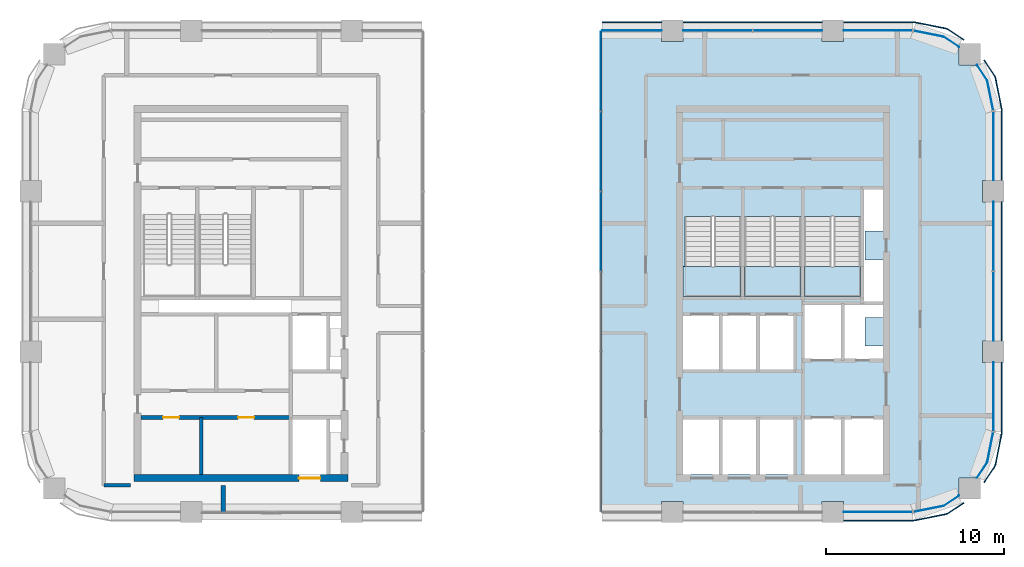
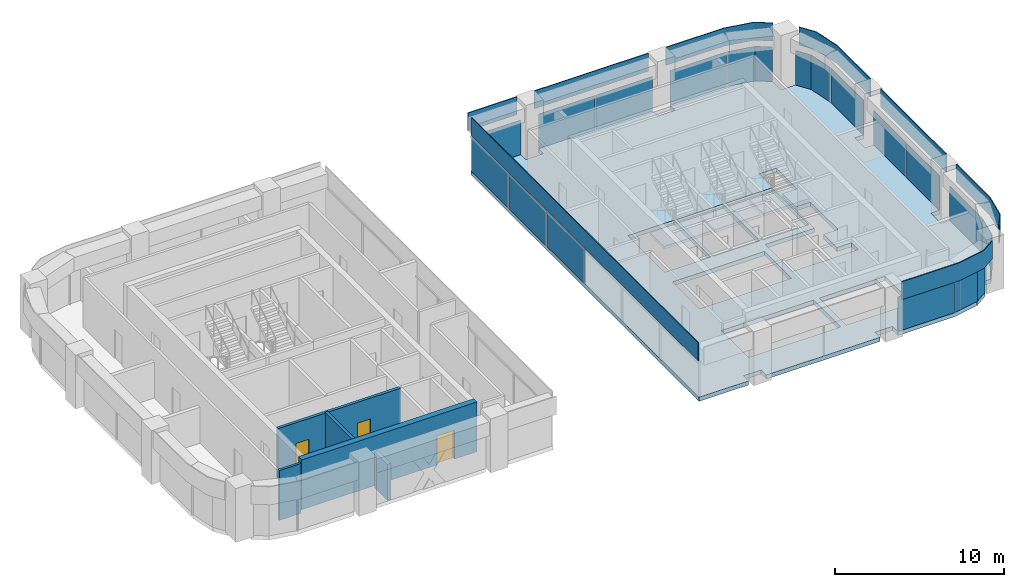
# One storey, part 5 of 12: 24 plates, 5 walls, 4 slabs, 3 doors, 3 openings, 11 elements without a shape of their own.
"""IFC4 building model written with IfcOpenShell, lengths in metres."""

from ifc_helpers import new_model, si_unit, direction, frame, frame_2d, origin, origin_2d, place, context, subcontext, project, spatial, polyline, rectangle, outline, extrude, material, layer, layer_set, type_object, element, fill, aggregate, save


model = new_model("IFC4")

# Units and contexts
model_context = context("Model", 3, precision=1e-05, world=origin(), true_north=direction((0.0, 1.0)))
body_context = subcontext(model_context, "Body", "Model", "MODEL_VIEW")
ifc_project = project(units=[si_unit("LENGTHUNIT", "METRE"), si_unit("AREAUNIT", "SQUARE_METRE"), si_unit("VOLUMEUNIT", "CUBIC_METRE"), si_unit("PLANEANGLEUNIT", "RADIAN"), si_unit("MASSUNIT", "GRAM", prefix="KILO")], contexts=[model_context])

# Site, building, storey
site_placement = place(None, origin())
site = spatial("IfcSite", under=ifc_project, at=site_placement, CompositionType="ELEMENT")
building_placement = place(site_placement, origin())
building = spatial("IfcBuilding", under=site, at=building_placement, Name="Tessera Arch", CompositionType="ELEMENT")
storey_placement = place(building_placement, frame((0.0, 0.0, 207.199951171875)))
storey = spatial("IfcBuildingStorey", under=building, at=storey_placement, Name="L49", CompositionType="ELEMENT", Elevation=207.199951171875)

# Curtain wall, plates
ifc_material_1 = material(Name="CW1 curtain wall")
curtain_wall_type_1 = type_object("IfcCurtainWallType", Name="CW1 curtain wall", PredefinedType="NOTDEFINED", material=ifc_material_1)
curtain_wall_1_placement = place(storey_placement, origin())
curtain_wall_1 = element("IfcCurtainWall", 1, at=curtain_wall_1_placement, inside=storey, type_object=curtain_wall_type_1, Name="CW1 curtain wall E54.27/1 L49", PredefinedType="NOTDEFINED")
ifc_material_2 = material(Name="Clear low-e glass", Category="glass")
ifc_material_3 = material(Name="Clear low-e glass", Category="glass")
ifc_layer_1 = layer(ifc_material_3, 0.028076171875)
ifc_layer_set_1 = layer_set([ifc_layer_1], Name="CW1 glass panel")
plate_type_1 = type_object("IfcPlateType", Name="CW1 glass panel", PredefinedType="CURTAIN_PANEL", material=ifc_layer_set_1)
plate_1_placement = place(storey_placement, frame((54.0, 38.534912109375, 0.0), z_axis=(0.0, 0.0, 1.0), x_axis=(0.0, 1.0, 0.0)))
plate_1 = element("IfcPlate", 2, at=plate_1_placement, type_object=plate_type_1, material=ifc_material_2, Name="CW1 glass panel E54.27/1 1.1.1", PredefinedType="CURTAIN_PANEL", context=body_context, shape_type="SweptSolid", body=[
    extrude(rectangle(XDim=3.8701171875, YDim=0.028076171875, at=origin_2d()), origin(), (0.0, 0.0, 1.0), 2.5),
])
plate_2_placement = place(storey_placement, frame((54.0, 42.465087890625, 0.0), z_axis=(0.0, 0.0, 1.0), x_axis=(0.0, 1.0, 0.0)))
plate_2 = element("IfcPlate", 3, at=plate_2_placement, type_object=plate_type_1, material=ifc_material_2, Name="CW1 glass panel E54.27/1 1.2.1", PredefinedType="CURTAIN_PANEL", context=body_context, shape_type="SweptSolid", body=[
    extrude(rectangle(XDim=3.8701171875, YDim=0.028076171875, at=origin_2d()), origin(), (0.0, 0.0, 1.0), 2.5),
])

curtain_wall_2_placement = place(storey_placement, origin())
curtain_wall_2 = element("IfcCurtainWall", 4, at=curtain_wall_2_placement, inside=storey, type_object=curtain_wall_type_1, Name="CW1 curtain wall N54.32/1 L49", PredefinedType="NOTDEFINED")
plate_3_placement = place(storey_placement, frame((42.465087890625, 54.0, 0.0), z_axis=(0.0, 0.0, 1.0), x_axis=(-1.0, 0.0, 0.0)))
plate_3 = element("IfcPlate", 5, at=plate_3_placement, type_object=plate_type_1, material=ifc_material_2, Name="CW1 glass panel N54.32/1 1.1.1", PredefinedType="CURTAIN_PANEL", context=body_context, shape_type="SweptSolid", body=[
    extrude(rectangle(XDim=3.8701171875, YDim=0.028076171875, at=origin_2d()), origin(), (0.0, 0.0, 1.0), 2.5),
])
plate_4_placement = place(storey_placement, frame((38.534912109375, 54.0, 0.0), z_axis=(0.0, 0.0, 1.0), x_axis=(-1.0, 0.0, 0.0)))
plate_4 = element("IfcPlate", 6, at=plate_4_placement, type_object=plate_type_1, material=ifc_material_2, Name="CW1 glass panel N54.32/1 1.2.1", PredefinedType="CURTAIN_PANEL", context=body_context, shape_type="SweptSolid", body=[
    extrude(rectangle(XDim=3.8701171875, YDim=0.028076171875, at=origin_2d()), origin(), (0.0, 0.0, 1.0), 2.5),
])

# Curtain wall, plate
curtain_wall_3_placement = place(storey_placement, origin())
curtain_wall_3 = element("IfcCurtainWall", 7, at=curtain_wall_3_placement, inside=storey, type_object=curtain_wall_type_1, Name="CW1 curtain wall N54.32/2 L49", PredefinedType="NOTDEFINED")
plate_5_placement = place(storey_placement, frame((33.72509765625, 54.0, 0.0), z_axis=(0.0, 0.0, 1.0), x_axis=(-1.0, 0.0, 0.0)))
plate_5 = element("IfcPlate", 8, at=plate_5_placement, type_object=plate_type_1, material=ifc_material_2, Name="CW1 glass panel N54.32/2 1.1.1", PredefinedType="CURTAIN_PANEL", context=body_context, shape_type="SweptSolid", body=[
    extrude(rectangle(XDim=3.35009765625, YDim=0.028076171875, at=origin_2d()), origin(), (0.0, 0.0, 1.0), 2.5),
])

# Plate
ifc_material_4 = material(Name="Pale anodised aluminium panel", Category="aluminium")
ifc_layer_2 = layer(ifc_material_4, 0.06005859375)
ifc_layer_set_2 = layer_set([ifc_layer_2], Name="CW1 spandrel panel")
plate_type_2 = type_object("IfcPlateType", Name="CW1 spandrel panel", PredefinedType="CURTAIN_PANEL", material=ifc_layer_set_2)
plate_6_placement = place(storey_placement, frame((54.47998046875, 40.5, 2.60009765625), z_axis=(0.0, 0.0, 1.0), x_axis=(0.0, 1.0, 0.0)))
plate_6 = element("IfcPlate", 9, at=plate_6_placement, type_object=plate_type_2, Name="CW1 spandrel panel E54.27/1", PredefinedType="CURTAIN_PANEL", context=body_context, shape_type="SweptSolid", body=[
    extrude(rectangle(XDim=7.800048828125, YDim=0.06005859375, at=origin_2d()), origin(), (0.0, 0.0, 1.0), 1.300048828125),
])

aggregate(curtain_wall_1, [plate_1, plate_2, plate_6])

plate_7_placement = place(storey_placement, frame((40.5, 54.47998046875, 2.60009765625), z_axis=(0.0, 0.0, 1.0), x_axis=(-1.0, 0.0, 0.0)))
plate_7 = element("IfcPlate", 10, at=plate_7_placement, type_object=plate_type_2, Name="CW1 spandrel panel N54.32/1", PredefinedType="CURTAIN_PANEL", context=body_context, shape_type="SweptSolid", body=[
    extrude(rectangle(XDim=7.800048828125, YDim=0.06005859375, at=origin_2d()), origin(), (0.0, 0.0, 1.0), 1.300048828125),
])

aggregate(curtain_wall_2, [plate_3, plate_4, plate_7])

plate_8_placement = place(storey_placement, frame((33.72509765625, 54.47998046875, 2.60009765625), z_axis=(0.0, 0.0, 1.0), x_axis=(-1.0, 0.0, 0.0)))
plate_8 = element("IfcPlate", 11, at=plate_8_placement, type_object=plate_type_2, Name="CW1 spandrel panel N54.32/2", PredefinedType="CURTAIN_PANEL", context=body_context, shape_type="SweptSolid", body=[
    extrude(rectangle(XDim=3.35009765625, YDim=0.06005859375, at=origin_2d()), origin(), (0.0, 0.0, 1.0), 1.300048828125),
])

aggregate(curtain_wall_3, [plate_5, plate_8])

# Curtain wall, plates
ifc_material_5 = material(Name="CW2 curtain wall")
curtain_wall_type_2 = type_object("IfcCurtainWallType", Name="CW2 curtain wall", PredefinedType="NOTDEFINED", material=ifc_material_5)
curtain_wall_4_placement = place(storey_placement, origin())
curtain_wall_4 = element("IfcCurtainWall", 12, at=curtain_wall_4_placement, inside=storey, type_object=curtain_wall_type_2, Name="CW2 curtain wall S27.32/2 L49", PredefinedType="NOTDEFINED")
ifc_material_6 = material(Name="Clear low-e glass", Category="glass")
ifc_layer_3 = layer(ifc_material_6, 0.028076171875)
ifc_layer_set_3 = layer_set([ifc_layer_3], Name="CW2 glass panel")
plate_type_3 = type_object("IfcPlateType", Name="CW2 glass panel", PredefinedType="CURTAIN_PANEL", material=ifc_layer_set_3)
plate_9_placement = place(storey_placement, frame((47.530029296875, 27.0, 0.0), z_axis=(0.0, 0.0, 1.0), x_axis=(1.0, 0.0, 0.0)))
plate_9 = element("IfcPlate", 13, at=plate_9_placement, type_object=plate_type_3, material=ifc_material_2, Name="CW2 glass panel S27.32/2 1.1", PredefinedType="CURTAIN_PANEL", context=body_context, shape_type="SweptSolid", body=[
    extrude(rectangle(XDim=3.860107421875, YDim=0.028076171875, at=origin_2d()), origin(), (0.0, 0.0, 1.0), 2.5),
])
plate_10_placement = place(storey_placement, origin())
plate_10 = element("IfcPlate", 14, at=plate_10_placement, type_object=plate_type_3, material=ifc_material_2, Name="CW2 curved glass panel S27.32/2 2.1", PredefinedType="CURTAIN_PANEL", context=body_context, shape_type="SweptSolid", body=[
    extrude(outline(polyline([(51.216552734375, 27.355712890625), (49.53662109375, 27.021484375), (49.5419921875, 26.994140625), (51.2275390625, 27.329345703125), (52.08984375, 27.905517578125), (52.07421875, 27.9287109375), (51.216552734375, 27.355712890625)])), origin(), (0.0, 0.0, 1.0), 2.5),
])

curtain_wall_5_placement = place(storey_placement, origin())
curtain_wall_5 = element("IfcCurtainWall", 15, at=curtain_wall_5_placement, inside=storey, type_object=curtain_wall_type_2, Name="CW2 curtain wall E54.27/0 L49", PredefinedType="NOTDEFINED")
plate_11_placement = place(storey_placement, frame((54.0, 33.469970703125, 0.0), z_axis=(0.0, 0.0, 1.0), x_axis=(0.0, 1.0, 0.0)))
plate_11 = element("IfcPlate", 16, at=plate_11_placement, type_object=plate_type_3, material=ifc_material_2, Name="CW2 glass panel E54.27/0 1.1", PredefinedType="CURTAIN_PANEL", context=body_context, shape_type="SweptSolid", body=[
    extrude(rectangle(XDim=3.860107421875, YDim=0.028076171875, at=origin_2d()), origin(), (0.0, 0.0, 1.0), 2.5),
])
plate_12_placement = place(storey_placement, origin())
plate_12 = element("IfcPlate", 17, at=plate_12_placement, type_object=plate_type_3, material=ifc_material_2, Name="CW2 curved glass panel E54.27/0 2.1", PredefinedType="CURTAIN_PANEL", context=body_context, shape_type="SweptSolid", body=[
    extrude(outline(polyline([(53.644287109375, 29.783447265625), (53.0712890625, 28.92578125), (53.094482421875, 28.91015625), (53.670654296875, 29.7724609375), (54.005859375, 31.4580078125), (53.978515625, 31.46337890625), (53.644287109375, 29.783447265625)])), origin(), (0.0, 0.0, 1.0), 2.5),
])

curtain_wall_6_placement = place(storey_placement, origin())
curtain_wall_6 = element("IfcCurtainWall", 18, at=curtain_wall_6_placement, inside=storey, type_object=curtain_wall_type_2, Name="CW2 curtain wall E54.27/2 L49", PredefinedType="NOTDEFINED")
plate_13_placement = place(storey_placement, frame((54.0, 47.530029296875, 0.0), z_axis=(0.0, 0.0, 1.0), x_axis=(0.0, 1.0, 0.0)))
plate_13 = element("IfcPlate", 19, at=plate_13_placement, type_object=plate_type_3, material=ifc_material_2, Name="CW2 glass panel E54.27/2 1.1", PredefinedType="CURTAIN_PANEL", context=body_context, shape_type="SweptSolid", body=[
    extrude(rectangle(XDim=3.860107421875, YDim=0.028076171875, at=origin_2d()), origin(), (0.0, 0.0, 1.0), 2.5),
])
plate_14_placement = place(storey_placement, origin())
plate_14 = element("IfcPlate", 20, at=plate_14_placement, type_object=plate_type_3, material=ifc_material_2, Name="CW2 curved glass panel E54.27/2 2.1", PredefinedType="CURTAIN_PANEL", context=body_context, shape_type="SweptSolid", body=[
    extrude(outline(polyline([(53.644287109375, 51.216552734375), (53.978515625, 49.53662109375), (54.005859375, 49.5419921875), (53.670654296875, 51.2275390625), (53.094482421875, 52.08984375), (53.0712890625, 52.07421875), (53.644287109375, 51.216552734375)])), origin(), (0.0, 0.0, 1.0), 2.5),
])

curtain_wall_7_placement = place(storey_placement, origin())
curtain_wall_7 = element("IfcCurtainWall", 21, at=curtain_wall_7_placement, inside=storey, type_object=curtain_wall_type_2, Name="CW2 curtain wall N54.32/0 L49", PredefinedType="NOTDEFINED")
plate_15_placement = place(storey_placement, frame((47.530029296875, 54.0, 0.0), z_axis=(0.0, 0.0, 1.0), x_axis=(-1.0, 0.0, 0.0)))
plate_15 = element("IfcPlate", 22, at=plate_15_placement, type_object=plate_type_3, material=ifc_material_2, Name="CW2 glass panel N54.32/0 1.1", PredefinedType="CURTAIN_PANEL", context=body_context, shape_type="SweptSolid", body=[
    extrude(rectangle(XDim=3.860107421875, YDim=0.028076171875, at=origin_2d()), origin(), (0.0, 0.0, 1.0), 2.5),
])
plate_16_placement = place(storey_placement, origin())
plate_16 = element("IfcPlate", 23, at=plate_16_placement, type_object=plate_type_3, material=ifc_material_2, Name="CW2 curved glass panel N54.32/0 2.1", PredefinedType="CURTAIN_PANEL", context=body_context, shape_type="SweptSolid", body=[
    extrude(outline(polyline([(51.216552734375, 53.644287109375), (52.07421875, 53.0712890625), (52.08984375, 53.094482421875), (51.2275390625, 53.670654296875), (49.5419921875, 54.005859375), (49.53662109375, 53.978515625), (51.216552734375, 53.644287109375)])), origin(), (0.0, 0.0, 1.0), 2.5),
])

# Plate
ifc_material_7 = material(Name="Pale anodised aluminium panel", Category="aluminium")
ifc_layer_4 = layer(ifc_material_7, 0.06005859375)
ifc_layer_set_4 = layer_set([ifc_layer_4], Name="CW2 spandrel panel")
plate_type_4 = type_object("IfcPlateType", Name="CW2 spandrel panel", PredefinedType="CURTAIN_PANEL", material=ifc_layer_set_4)
plate_17_placement = place(storey_placement, frame((0.0, 0.0, 2.60009765625)))
plate_17 = element("IfcPlate", 24, at=plate_17_placement, type_object=plate_type_4, Name="CW2 spandrel panel S27.32/2", PredefinedType="CURTAIN_PANEL", context=body_context, shape_type="SweptSolid", body=[
    extrude(outline(polyline([(49.499267578125, 26.550048828125), (45.60009765625, 26.550048828125), (45.60009765625, 26.489990234375), (49.500732421875, 26.489990234375), (49.550048828125, 26.492431640625), (49.598876953125, 26.499755859375), (51.322265625, 26.842529296875), (51.3701171875, 26.8544921875), (51.417236328125, 26.871337890625), (51.462646484375, 26.892578125), (51.5048828125, 26.91796875), (52.365234375, 27.4931640625), (52.33203125, 27.54296875), (51.47265625, 26.96875), (51.434326171875, 26.945556640625), (51.394287109375, 26.9267578125), (51.352783203125, 26.911865234375), (51.30908203125, 26.90087890625), (49.588623046875, 26.558837890625), (49.544189453125, 26.55224609375), (49.499267578125, 26.550048828125)])), origin(), (0.0, 0.0, 1.0), 1.300048828125),
])

aggregate(curtain_wall_4, [plate_9, plate_10, plate_17])

plate_18_placement = place(storey_placement, frame((0.0, 0.0, 2.60009765625)))
plate_18 = element("IfcPlate", 25, at=plate_18_placement, type_object=plate_type_4, Name="CW2 spandrel panel E54.27/0", PredefinedType="CURTAIN_PANEL", context=body_context, shape_type="SweptSolid", body=[
    extrude(outline(polyline([(54.03125, 29.52734375), (53.45703125, 28.66796875), (53.5068359375, 28.634765625), (54.08203125, 29.4951171875), (54.107421875, 29.537353515625), (54.128662109375, 29.582763671875), (54.1455078125, 29.6298828125), (54.157470703125, 29.677734375), (54.500244140625, 31.401123046875), (54.507568359375, 31.449951171875), (54.510009765625, 31.499267578125), (54.510009765625, 35.39990234375), (54.449951171875, 35.39990234375), (54.449951171875, 31.500732421875), (54.44775390625, 31.455810546875), (54.441162109375, 31.411376953125), (54.09912109375, 29.69091796875), (54.088134765625, 29.647216796875), (54.0732421875, 29.605712890625), (54.054443359375, 29.565673828125), (54.03125, 29.52734375)])), origin(), (0.0, 0.0, 1.0), 1.300048828125),
])

aggregate(curtain_wall_5, [plate_11, plate_12, plate_18])

plate_19_placement = place(storey_placement, frame((0.0, 0.0, 2.60009765625)))
plate_19 = element("IfcPlate", 26, at=plate_19_placement, type_object=plate_type_4, Name="CW2 spandrel panel E54.27/2", PredefinedType="CURTAIN_PANEL", context=body_context, shape_type="SweptSolid", body=[
    extrude(outline(polyline([(54.449951171875, 49.499267578125), (54.449951171875, 45.60009765625), (54.510009765625, 45.60009765625), (54.510009765625, 49.500732421875), (54.507568359375, 49.550048828125), (54.500244140625, 49.598876953125), (54.157470703125, 51.322265625), (54.1455078125, 51.3701171875), (54.128662109375, 51.417236328125), (54.107421875, 51.462646484375), (54.08203125, 51.5048828125), (53.5068359375, 52.365234375), (53.45703125, 52.33203125), (54.03125, 51.47265625), (54.054443359375, 51.434326171875), (54.0732421875, 51.394287109375), (54.088134765625, 51.352783203125), (54.09912109375, 51.30908203125), (54.441162109375, 49.588623046875), (54.44775390625, 49.544189453125), (54.449951171875, 49.499267578125)])), origin(), (0.0, 0.0, 1.0), 1.300048828125),
])

aggregate(curtain_wall_6, [plate_13, plate_14, plate_19])

plate_20_placement = place(storey_placement, frame((0.0, 0.0, 2.60009765625)))
plate_20 = element("IfcPlate", 27, at=plate_20_placement, type_object=plate_type_4, Name="CW2 spandrel panel N54.32/0", PredefinedType="CURTAIN_PANEL", context=body_context, shape_type="SweptSolid", body=[
    extrude(outline(polyline([(51.47265625, 54.03125), (52.33203125, 53.45703125), (52.365234375, 53.5068359375), (51.5048828125, 54.08203125), (51.462646484375, 54.107421875), (51.417236328125, 54.128662109375), (51.3701171875, 54.1455078125), (51.322265625, 54.157470703125), (49.598876953125, 54.500244140625), (49.550048828125, 54.507568359375), (49.500732421875, 54.510009765625), (45.60009765625, 54.510009765625), (45.60009765625, 54.449951171875), (49.499267578125, 54.449951171875), (49.544189453125, 54.44775390625), (49.588623046875, 54.441162109375), (51.30908203125, 54.09912109375), (51.352783203125, 54.088134765625), (51.394287109375, 54.0732421875), (51.434326171875, 54.054443359375), (51.47265625, 54.03125)])), origin(), (0.0, 0.0, 1.0), 1.300048828125),
])

aggregate(curtain_wall_7, [plate_15, plate_16, plate_20])

# Curtain wall, plates
ifc_material_8 = material(Name="CW5 curtain wall")
curtain_wall_type_3 = type_object("IfcCurtainWallType", Name="CW5 curtain wall", PredefinedType="NOTDEFINED", material=ifc_material_8)
curtain_wall_8_placement = place(storey_placement, origin())
curtain_wall_8 = element("IfcCurtainWall", 28, at=curtain_wall_8_placement, inside=storey, type_object=curtain_wall_type_3, Name="CW5 curtain wall W32.27/0 L49", PredefinedType="NOTDEFINED")
ifc_material_9 = material(Name="Clear low-e glass", Category="glass")
ifc_layer_5 = layer(ifc_material_9, 0.028076171875)
ifc_layer_set_5 = layer_set([ifc_layer_5], Name="CW5 glass panel")
plate_type_5 = type_object("IfcPlateType", Name="CW5 glass panel", PredefinedType="CURTAIN_PANEL", material=ifc_layer_set_5)
plate_21_placement = place(storey_placement, frame((32.0, 51.728271484375, 0.0), z_axis=(0.0, 0.0, 1.0), x_axis=(0.0, -1.0, 0.0)))
plate_21 = element("IfcPlate", 29, at=plate_21_placement, type_object=plate_type_5, material=ifc_material_2, Name="CW5 glass panel W32.27/0 1.1.1", PredefinedType="CURTAIN_PANEL", context=body_context, shape_type="SweptSolid", body=[
    extrude(rectangle(XDim=4.443359375, YDim=0.028076171875, at=origin_2d()), origin(), (0.0, 0.0, 1.0), 2.5),
])
plate_22_placement = place(storey_placement, frame((32.0, 47.22509765625, 0.0), z_axis=(0.0, 0.0, 1.0), x_axis=(0.0, -1.0, 0.0)))
plate_22 = element("IfcPlate", 30, at=plate_22_placement, type_object=plate_type_5, material=ifc_material_2, Name="CW5 glass panel W32.27/0 1.2.1", PredefinedType="CURTAIN_PANEL", context=body_context, shape_type="SweptSolid", body=[
    extrude(rectangle(XDim=4.4033203125, YDim=0.028076171875, at=origin_2d()), origin(), (0.0, 0.0, 1.0), 2.5),
])
plate_23_placement = place(storey_placement, frame((32.0, 42.74169921875, 0.0), z_axis=(0.0, 0.0, 1.0), x_axis=(0.0, -1.0, 0.0)))
plate_23 = element("IfcPlate", 31, at=plate_23_placement, type_object=plate_type_5, material=ifc_material_2, Name="CW5 glass panel W32.27/0 1.3.1", PredefinedType="CURTAIN_PANEL", context=body_context, shape_type="SweptSolid", body=[
    extrude(rectangle(XDim=4.4033203125, YDim=0.028076171875, at=origin_2d()), origin(), (0.0, 0.0, 1.0), 2.5),
])
ifc_material_10 = material(Name="Pale anodised aluminium panel", Category="aluminium")
ifc_layer_6 = layer(ifc_material_10, 0.06005859375)
ifc_layer_set_6 = layer_set([ifc_layer_6], Name="CW5 spandrel panel")
plate_type_6 = type_object("IfcPlateType", Name="CW5 spandrel panel", PredefinedType="CURTAIN_PANEL", material=ifc_layer_set_6)
plate_24_placement = place(storey_placement, frame((32.0, 40.5, 2.60009765625), z_axis=(0.0, 0.0, 1.0), x_axis=(0.0, -1.0, 0.0)))
plate_24 = element("IfcPlate", 32, at=plate_24_placement, type_object=plate_type_6, Name="CW5 spandrel panel W32.27/0", PredefinedType="CURTAIN_PANEL", context=body_context, shape_type="SweptSolid", body=[
    extrude(rectangle(XDim=26.89990234375, YDim=0.06005859375, at=origin_2d()), origin(), (0.0, 0.0, 1.0), 1.300048828125),
])
aggregate(curtain_wall_8, [plate_21, plate_22, plate_23, plate_24])

# Slab
ifc_material_11 = material(Name="Concrete C40/50", Category="concrete")
ifc_layer_7 = layer(ifc_material_11, 0.300048828125)
ifc_layer_set_7 = layer_set([ifc_layer_7], Name="Floor slab 300 Concrete C40/50")
slab_type_1 = type_object("IfcSlabType", Name="Floor slab 300 Concrete C40/50", PredefinedType="FLOOR", material=ifc_layer_set_7)
slab_1_placement = place(storey_placement, frame((0.0, 0.0, -0.300048828125)))
element("IfcSlab", 33, at=slab_1_placement, inside=storey, type_object=slab_type_1, Name="Floor slab L49 2", PredefinedType="FLOOR", context=body_context, shape_type="SweptSolid", body=[
    extrude(outline(polyline([(51.22216796875, 53.657470703125), (52.08203125, 53.0830078125), (52.08203125, 52.08203125), (53.0830078125, 52.08203125), (53.657470703125, 51.22216796875), (54.0, 49.5), (54.0, 45.60009765625), (53.39990234375, 45.60009765625), (53.39990234375, 44.39990234375), (54.0, 44.39990234375), (54.0, 36.60009765625), (53.39990234375, 36.60009765625), (53.39990234375, 35.39990234375), (54.0, 35.39990234375), (54.0, 31.5), (53.657470703125, 29.77783203125), (53.0830078125, 28.91796875), (52.08203125, 28.91796875), (52.08203125, 27.9169921875), (51.22216796875, 27.342529296875), (49.5, 27.0), (45.60009765625, 27.0), (45.60009765625, 27.60009765625), (44.39990234375, 27.60009765625), (44.39990234375, 27.0), (36.60009765625, 27.0), (36.60009765625, 27.60009765625), (35.39990234375, 27.60009765625), (35.39990234375, 27.0), (32.0, 27.0), (32.0, 54.0), (35.39990234375, 54.0), (35.39990234375, 53.39990234375), (36.60009765625, 53.39990234375), (36.60009765625, 54.0), (44.39990234375, 54.0), (44.39990234375, 53.39990234375), (45.60009765625, 53.39990234375), (45.60009765625, 54.0), (49.5, 54.0), (51.22216796875, 53.657470703125)]), holes=[polyline([(36.60009765625, 29.10009765625), (38.699951171875, 29.10009765625), (40.800048828125, 29.10009765625), (42.89990234375, 29.10009765625), (42.89990234375, 32.300048828125), (40.800048828125, 32.300048828125), (38.699951171875, 32.300048828125), (36.60009765625, 32.300048828125), (36.60009765625, 29.10009765625)]), polyline([(47.800048828125, 32.300048828125), (45.550048828125, 32.300048828125), (43.300048828125, 32.300048828125), (43.300048828125, 29.10009765625), (45.550048828125, 29.10009765625), (47.800048828125, 29.10009765625), (47.800048828125, 32.300048828125)]), polyline([(42.89990234375, 34.89990234375), (42.89990234375, 38.10009765625), (40.800048828125, 38.10009765625), (38.699951171875, 38.10009765625), (36.60009765625, 38.10009765625), (36.60009765625, 34.89990234375), (38.699951171875, 34.89990234375), (40.800048828125, 34.89990234375), (42.89990234375, 34.89990234375)]), polyline([(47.800048828125, 41.14990234375), (46.800048828125, 41.14990234375), (46.800048828125, 42.75), (47.800048828125, 42.75), (47.800048828125, 45.199951171875), (46.64990234375, 45.199951171875), (46.64990234375, 38.699951171875), (45.550048828125, 38.699951171875), (43.300048828125, 38.699951171875), (43.300048828125, 35.5), (45.550048828125, 35.5), (47.800048828125, 35.5), (47.800048828125, 36.300048828125), (46.800048828125, 36.300048828125), (46.800048828125, 37.89990234375), (47.800048828125, 37.89990234375), (47.800048828125, 38.699951171875), (47.800048828125, 41.14990234375)]), polyline([(36.699951171875, 43.570068359375), (36.699951171875, 39.199951171875), (39.85009765625, 39.199951171875), (39.85009765625, 43.570068359375), (38.330078125, 43.570068359375), (38.330078125, 43.580078125), (38.219970703125, 43.580078125), (38.219970703125, 43.570068359375), (36.699951171875, 43.570068359375)]), polyline([(40.050048828125, 39.199951171875), (43.199951171875, 39.199951171875), (43.199951171875, 43.570068359375), (41.679931640625, 43.570068359375), (41.679931640625, 43.580078125), (41.570068359375, 43.580078125), (41.570068359375, 43.570068359375), (40.050048828125, 43.570068359375), (40.050048828125, 39.199951171875)]), polyline([(43.39990234375, 43.570068359375), (43.39990234375, 39.199951171875), (46.550048828125, 39.199951171875), (46.550048828125, 43.570068359375), (45.030029296875, 43.570068359375), (45.030029296875, 43.580078125), (44.919921875, 43.580078125), (44.919921875, 43.570068359375), (43.39990234375, 43.570068359375)])]), origin(), (0.0, 0.0, 1.0), 0.300048828125),
])

# Stair, slab
ifc_material_12 = material(Name="Concrete C40/50", Category="concrete")
stair_type = type_object("IfcStairType", Name="Dogleg stair 1520", PredefinedType="HALF_TURN_STAIR", material=ifc_material_12)
stair_1_placement = place(storey_placement, origin())
stair_1 = element("IfcStair", 34, at=stair_1_placement, inside=storey, type_object=stair_type, Name="L49 S1a", PredefinedType="HALF_TURN_STAIR")
ifc_material_13 = material(Name="Concrete C40/50", Category="concrete")
ifc_layer_8 = layer(ifc_material_13, 0.300048828125)
ifc_layer_set_8 = layer_set([ifc_layer_8], Name="Stair landing 300")
slab_type_2 = type_object("IfcSlabType", Name="Stair landing 300", PredefinedType="LANDING", material=ifc_layer_set_8)
slab_2_placement = place(storey_placement, frame((0.0, 0.0, 1.75)))
slab_2 = element("IfcSlab", 35, at=slab_2_placement, type_object=slab_type_2, Name="S1a landing 1", PredefinedType="LANDING", context=body_context, shape_type="SweptSolid", body=[
    extrude(outline(polyline([(36.60009765625, 40.780029296875), (36.60009765625, 39.10009765625), (39.85009765625, 39.10009765625), (39.85009765625, 40.780029296875), (36.60009765625, 40.780029296875)])), origin(), (0.0, 0.0, 1.0), 0.199951171875),
])
aggregate(stair_1, [slab_2])

stair_2_placement = place(storey_placement, origin())
stair_2 = element("IfcStair", 36, at=stair_2_placement, inside=storey, type_object=stair_type, Name="L49 S1b", PredefinedType="HALF_TURN_STAIR")
slab_3_placement = place(storey_placement, frame((0.0, 0.0, 1.75)))
slab_3 = element("IfcSlab", 37, at=slab_3_placement, type_object=slab_type_2, Name="S1b landing 1", PredefinedType="LANDING", context=body_context, shape_type="SweptSolid", body=[
    extrude(outline(polyline([(40.050048828125, 40.780029296875), (40.050048828125, 39.10009765625), (43.199951171875, 39.10009765625), (43.199951171875, 40.780029296875), (40.050048828125, 40.780029296875)])), origin(), (0.0, 0.0, 1.0), 0.199951171875),
])
aggregate(stair_2, [slab_3])

stair_3_placement = place(storey_placement, origin())
stair_3 = element("IfcStair", 38, at=stair_3_placement, inside=storey, type_object=stair_type, Name="L49 S1c", PredefinedType="HALF_TURN_STAIR")
slab_4_placement = place(storey_placement, frame((0.0, 0.0, 1.75)))
slab_4 = element("IfcSlab", 39, at=slab_4_placement, type_object=slab_type_2, Name="S1c landing 1", PredefinedType="LANDING", context=body_context, shape_type="SweptSolid", body=[
    extrude(outline(polyline([(43.39990234375, 40.780029296875), (43.39990234375, 39.10009765625), (46.550048828125, 39.10009765625), (46.550048828125, 40.780029296875), (43.39990234375, 40.780029296875)])), origin(), (0.0, 0.0, 1.0), 0.199951171875),
])
aggregate(stair_3, [slab_4])

# Wall
ifc_material_14 = material(Name="Gypsum board on steel stud", Category="steel")
ifc_layer_9 = layer(ifc_material_14, 0.125)
ifc_layer_set_9 = layer_set([ifc_layer_9], Name="Core partition 125 EI 60")
wall_type_1 = type_object("IfcWallType", Name="Core partition 125 EI 60", PredefinedType="PARTITIONING", material=ifc_layer_set_9)
wall_1_placement = place(storey_placement, frame((9.56005859375, 29.10009765625, 0.0), z_axis=(0.0, 0.0, 1.0), x_axis=(0.0, 1.0, 0.0)))
element("IfcWall", 40, at=wall_1_placement, inside=storey, type_object=wall_type_1, Name="L49 C2 partition wall 3", PredefinedType="PARTITIONING", context=body_context, shape_type="SweptSolid", body=[
    extrude(rectangle(XDim=3.199951171875, YDim=0.199951171875, at=frame_2d((1.60009765625, 0.0))), origin(), (0.0, 0.0, 1.0), 3.60009765625),
])

# Wall, openings, doors
wall_2_placement = place(storey_placement, frame((6.199951171875, 32.300048828125, 0.0), z_axis=(0.0, 0.0, 1.0), x_axis=(1.0, 0.0, 0.0)))
wall_2 = element("IfcWall", 41, at=wall_2_placement, inside=storey, type_object=wall_type_1, Name="L49 C2 partition wall 13", PredefinedType="PARTITIONING", context=body_context, shape_type="SweptSolid", body=[
    extrude(rectangle(XDim=8.400146484375, YDim=0.199951171875, at=frame_2d((4.2001953125, 0.0))), origin(), (0.0, 0.0, 1.0), 3.60009765625),
])
opening_1_placement = place(wall_2_placement, frame((1.22998046875, 0.0, 0.0)))
opening_1 = element("IfcOpeningElement", 42, at=opening_1_placement, cuts=wall_2, Name="Opening L49-C32", PredefinedType="OPENING", context=body_context, shape_type="SweptSolid", body=[
    extrude(rectangle(XDim=0.89990234375, YDim=2.10009765625, at=frame_2d((0.449951171875, 1.050048828125))), frame((0.0, 0.10986328125, 0.0), z_axis=(0.0, -1.0, 0.0), x_axis=(1.0, 0.0, 0.0)), (0.0, 0.0, 1.0), 0.219970703125),
])
opening_2_placement = place(wall_2_placement, frame((5.429931640625, 0.0, 0.0)))
opening_2 = element("IfcOpeningElement", 43, at=opening_2_placement, cuts=wall_2, Name="Opening L49-C33", PredefinedType="OPENING", context=body_context, shape_type="SweptSolid", body=[
    extrude(rectangle(XDim=0.89990234375, YDim=2.10009765625, at=frame_2d((0.449951171875, 1.050048828125))), frame((0.0, 0.10986328125, 0.0), z_axis=(0.0, -1.0, 0.0), x_axis=(1.0, 0.0, 0.0)), (0.0, 0.0, 1.0), 0.219970703125),
])
ifc_material_15 = material(Name="Steel door leaf", Category="steel")
door_type_1 = type_object("IfcDoorType", Name="Store door FD30S 900 x 2100", OperationType="SINGLE_SWING_LEFT", PredefinedType="DOOR", material=ifc_material_15)
door_1_placement = place(opening_1_placement, origin())
door_1 = element("IfcDoor", 44, at=door_1_placement, inside=storey, type_object=door_type_1, Name="L49 C2 door 13 C32 type D09", OperationType="SINGLE_SWING_LEFT", OverallHeight=2.10009765625, OverallWidth=0.89990234375, PredefinedType="DOOR", context=body_context, shape_type="SweptSolid", body=[
    extrude(rectangle(XDim=0.89990234375, YDim=2.10009765625, at=frame_2d((0.449951171875, 1.050048828125))), frame((0.0, 0.02490234375, 0.0), z_axis=(0.0, -1.0, 0.0), x_axis=(1.0, 0.0, 0.0)), (0.0, 0.0, 1.0), 0.050048828125),
])
fill(opening_1, door_1)
door_2_placement = place(opening_2_placement, origin())
door_2 = element("IfcDoor", 45, at=door_2_placement, inside=storey, type_object=door_type_1, Name="L49 C2 door 14 C33 type D09", OperationType="SINGLE_SWING_RIGHT", OverallHeight=2.10009765625, OverallWidth=0.89990234375, PredefinedType="DOOR", context=body_context, shape_type="SweptSolid", body=[
    extrude(rectangle(XDim=0.89990234375, YDim=2.10009765625, at=frame_2d((0.449951171875, 1.050048828125))), frame((0.0, 0.02490234375, 0.0), z_axis=(0.0, -1.0, 0.0), x_axis=(1.0, 0.0, 0.0)), (0.0, 0.0, 1.0), 0.050048828125),
])
fill(opening_2, door_2)

# Wall, opening, door
ifc_material_16 = material(Name="Concrete C50/60", Category="concrete")
ifc_layer_10 = layer(ifc_material_16, 0.39990234375)
ifc_layer_set_10 = layer_set([ifc_layer_10], Name="Core shell wall 400 C50-60")
wall_type_2 = type_object("IfcWallType", Name="Core shell wall 400 C50-60", PredefinedType="SHEAR", material=ifc_layer_set_10)
wall_3_placement = place(storey_placement, frame((5.800048828125, 28.89990234375, 0.0), z_axis=(0.0, 0.0, 1.0), x_axis=(1.0, 0.0, 0.0)))
wall_3 = element("IfcWall", 46, at=wall_3_placement, inside=storey, type_object=wall_type_2, Name="L49 C2 core wall S", PredefinedType="SHEAR", context=body_context, shape_type="SweptSolid", body=[
    extrude(rectangle(XDim=12.0, YDim=0.39990234375, at=frame_2d((6.0, 0.0))), origin(), (0.0, 0.0, 1.0), 3.60009765625),
])
opening_3_placement = place(wall_3_placement, frame((9.25, 0.0, 0.0)))
opening_3 = element("IfcOpeningElement", 47, at=opening_3_placement, cuts=wall_3, Name="Opening L49-C20", PredefinedType="OPENING", context=body_context, shape_type="SweptSolid", body=[
    extrude(rectangle(XDim=1.199951171875, YDim=2.10009765625, at=frame_2d((0.60009765625, 1.050048828125))), frame((0.0, 0.2099609375, 0.0), z_axis=(0.0, -1.0, 0.0), x_axis=(1.0, 0.0, 0.0)), (0.0, 0.0, 1.0), 0.419921875),
])
ifc_material_17 = material(Name="Stainless steel AISI 304", Category="steel")
door_type_2 = type_object("IfcDoorType", Name="Sliding landing door 1200 x 2100", OperationType="SLIDING_TO_LEFT", PredefinedType="DOOR", material=ifc_material_17)
door_3_placement = place(opening_3_placement, origin())
door_3 = element("IfcDoor", 48, at=door_3_placement, inside=storey, type_object=door_type_2, Name="L49 HR7 lift landing door C20 type LD", OperationType="SLIDING_TO_LEFT", OverallHeight=2.10009765625, OverallWidth=1.199951171875, PredefinedType="DOOR", context=body_context, shape_type="SweptSolid", body=[
    extrude(rectangle(XDim=1.199951171875, YDim=2.10009765625, at=frame_2d((0.60009765625, 1.050048828125))), frame((0.0, 0.02490234375, 0.0), z_axis=(0.0, -1.0, 0.0), x_axis=(1.0, 0.0, 0.0)), (0.0, 0.0, 1.0), 0.050048828125),
])
fill(opening_3, door_3)

# Walls
ifc_material_18 = material(Name="Gypsum board on deep steel stud with mineral wool", Category="steel")
ifc_layer_11 = layer(ifc_material_18, 0.175048828125)
ifc_layer_set_11 = layer_set([ifc_layer_11], Name="Corridor wall 175 EI 60")
wall_type_3 = type_object("IfcWallType", Name="Corridor wall 175 EI 60", PredefinedType="PARTITIONING", material=ifc_layer_set_11)
wall_4_placement = place(storey_placement, frame((4.10009765625, 28.5, 0.0), z_axis=(0.0, 0.0, 1.0), x_axis=(1.0, 0.0, 0.0)))
element("IfcWall", 49, at=wall_4_placement, inside=storey, type_object=wall_type_3, Name="L49 partition 1", PredefinedType="PARTITIONING", context=body_context, shape_type="SweptSolid", body=[
    extrude(rectangle(XDim=1.5, YDim=0.175048828125, at=frame_2d((0.75, 0.0))), origin(), (0.0, 0.0, 1.0), 3.60009765625),
])
ifc_material_19 = material(Name="Double gypsum board on twin steel stud with acoustic mineral wool", Category="steel")
ifc_layer_12 = layer(ifc_material_19, 0.25)
ifc_layer_set_12 = layer_set([ifc_layer_12], Name="Party wall 250 EI 60")
wall_type_4 = type_object("IfcWallType", Name="Party wall 250 EI 60", PredefinedType="PARTITIONING", material=ifc_layer_set_12)
wall_5_placement = place(storey_placement, frame((10.800048828125, 27.0, 0.0), z_axis=(0.0, 0.0, 1.0), x_axis=(0.0, 1.0, 0.0)))
element("IfcWall", 50, at=wall_5_placement, inside=storey, type_object=wall_type_4, Name="L49 partition 24", PredefinedType="PARTITIONING", context=body_context, shape_type="SweptSolid", body=[
    extrude(rectangle(XDim=1.5, YDim=0.25, at=frame_2d((0.75, 0.0))), origin(), (0.0, 0.0, 1.0), 2.60009765625),
])

save(model, "model.ifc")
